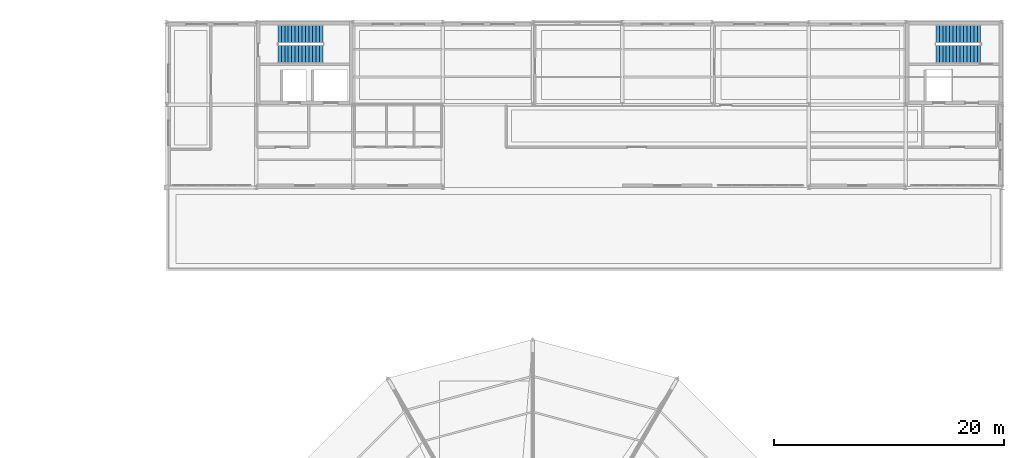
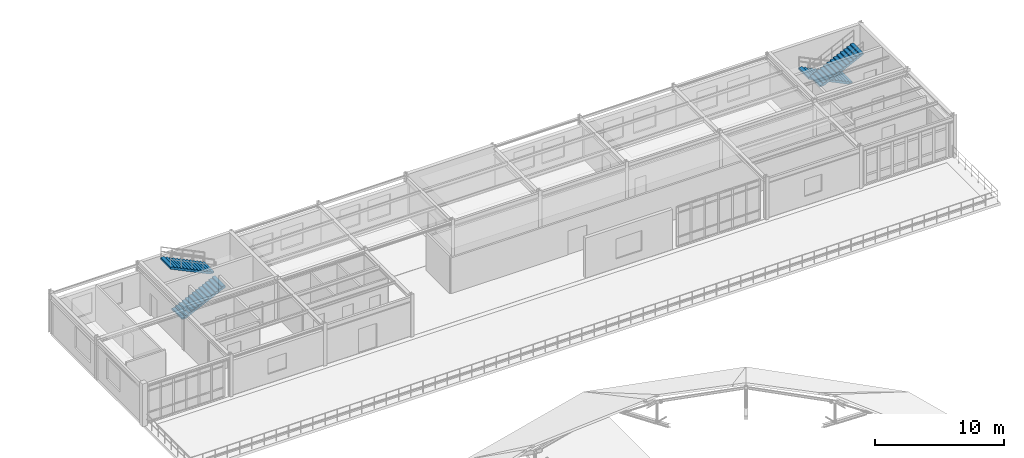
# One storey, part 54 of 58: 4 stair flights, 2 elements without a shape of their own.
"""IFC4 building model written with IfcOpenShell, lengths in metres."""

from ifc_helpers import new_model, si_unit, derived_unit, direction, frame, origin, place, context, subcontext, project, spatial, polyline, outline, extrude, material, type_object, element, aggregate, save


model = new_model("IFC4")

# Units and contexts
model_context = context("Model", 3, precision=1e-05, world=origin(), true_north=direction((0.0, 1.0)))
body_context = subcontext(model_context, "Body", "Model", "MODEL_VIEW")
ifc_project = project(units=[si_unit("LENGTHUNIT", "METRE"), si_unit("AREAUNIT", "SQUARE_METRE"), si_unit("VOLUMEUNIT", "CUBIC_METRE"), si_unit("PLANEANGLEUNIT", "RADIAN"), si_unit("MASSUNIT", "GRAM", prefix="KILO"), derived_unit("THERMALTRANSMITTANCEUNIT", [(si_unit("POWERUNIT", "WATT"), 1), (si_unit("AREAUNIT", "SQUARE_METRE"), -1), (si_unit("THERMODYNAMICTEMPERATUREUNIT", "KELVIN"), -1)])], contexts=[model_context])

# Site, building, storey
site_placement = place(None, origin())
site = spatial("IfcSite", under=ifc_project, at=site_placement, CompositionType="ELEMENT")
building_placement = place(site_placement, origin())
building = spatial("IfcBuilding", under=site, at=building_placement, Name="Yasenodar Specialist Clinic", CompositionType="ELEMENT")
storey_placement = place(building_placement, frame((0.0, 0.0, 21.300048828125)))
storey = spatial("IfcBuildingStorey", under=building, at=storey_placement, Name="L05", CompositionType="ELEMENT", Elevation=21.300048828125)

# Stair, stair flights
ifc_material = material(Name="Concrete C30/37", Category="concrete")
stair_type = type_object("IfcStairType", Name="ST-DOG-C4-28", PredefinedType="HALF_TURN_STAIR", material=ifc_material)
stair_1_placement = place(storey_placement, origin())
stair_1 = element("IfcStair", 1, at=stair_1_placement, inside=storey, type_object=stair_type, Name="L05 Core C4 Exit Stair ST-04", PredefinedType="HALF_TURN_STAIR")
stair_flight_type = type_object("IfcStairFlightType", Name="STF-C4-28", PredefinedType="STRAIGHT", material=ifc_material)
stair_flight_1_placement = place(storey_placement, frame((58.8701171875, 108.794921875, 0.0), z_axis=(0.0, 0.0, 1.0), x_axis=(1.0, 0.0, 0.0)))
stair_flight_1 = element("IfcStairFlight", 2, at=stair_flight_1_placement, type_object=stair_flight_type, Name="ST-04 flight 1", NumberOfRisers=14, NumberOfTreads=13, PredefinedType="STRAIGHT", RiserHeight=0.144642857, TreadLength=0.3, context=body_context, shape_type="SweptSolid", body=[
    extrude(outline(polyline([(0.0, 0.0), (0.0, 0.14453125), (0.300048828125, 0.14453125), (0.300048828125, 0.289306640625), (0.60009765625, 0.289306640625), (0.60009765625, 0.433837890625), (0.89990234375, 0.433837890625), (0.89990234375, 0.57861328125), (1.199951171875, 0.57861328125), (1.199951171875, 0.72314453125), (1.5, 0.72314453125), (1.5, 0.867919921875), (1.800048828125, 0.867919921875), (1.800048828125, 1.012451171875), (2.10009765625, 1.012451171875), (2.10009765625, 1.1572265625), (2.39990234375, 1.1572265625), (2.39990234375, 1.3017578125), (2.699951171875, 1.3017578125), (2.699951171875, 1.446533203125), (3.0, 1.446533203125), (3.0, 1.591064453125), (3.300048828125, 1.591064453125), (3.300048828125, 1.735595703125), (3.60009765625, 1.735595703125), (3.60009765625, 1.88037109375), (3.89990234375, 1.88037109375), (3.89990234375, 2.02490234375), (3.89990234375, 1.702880859375), (0.3681640625, 0.0), (0.0, 0.0)])), frame((0.0, 0.78515625, 0.0), z_axis=(0.0, -1.0, 0.0), x_axis=(1.0, 0.0, 0.0)), (0.0, 0.0, 1.0), 1.570068359375),
])
stair_flight_2_placement = place(storey_placement, frame((62.77001953125, 110.52490234375, 2.02490234375), z_axis=(0.0, 0.0, 1.0), x_axis=(-1.0, 0.0, 0.0)))
stair_flight_2 = element("IfcStairFlight", 3, at=stair_flight_2_placement, type_object=stair_flight_type, Name="ST-04 flight 2", NumberOfRisers=14, NumberOfTreads=13, PredefinedType="STRAIGHT", RiserHeight=0.144642857, TreadLength=0.3, context=body_context, shape_type="SweptSolid", body=[
    extrude(outline(polyline([(0.0, 0.0), (0.0, 0.14453125), (0.300048828125, 0.14453125), (0.300048828125, 0.289306640625), (0.60009765625, 0.289306640625), (0.60009765625, 0.433837890625), (0.89990234375, 0.433837890625), (0.89990234375, 0.57861328125), (1.199951171875, 0.57861328125), (1.199951171875, 0.72314453125), (1.5, 0.72314453125), (1.5, 0.867919921875), (1.800048828125, 0.867919921875), (1.800048828125, 1.012451171875), (2.10009765625, 1.012451171875), (2.10009765625, 1.1572265625), (2.39990234375, 1.1572265625), (2.39990234375, 1.3017578125), (2.699951171875, 1.3017578125), (2.699951171875, 1.446533203125), (3.0, 1.446533203125), (3.0, 1.591064453125), (3.300048828125, 1.591064453125), (3.300048828125, 1.735595703125), (3.60009765625, 1.735595703125), (3.60009765625, 1.88037109375), (3.89990234375, 1.88037109375), (3.89990234375, 2.02490234375), (3.89990234375, 1.702880859375), (0.3681640625, 0.0), (0.0, 0.0)])), frame((0.0, 0.78515625, 0.0), z_axis=(0.0, -1.0, 0.0), x_axis=(1.0, 0.0, 0.0)), (0.0, 0.0, 1.0), 1.570068359375),
])
aggregate(stair_1, [stair_flight_1, stair_flight_2])

stair_2_placement = place(storey_placement, origin())
stair_2 = element("IfcStair", 4, at=stair_2_placement, inside=storey, type_object=stair_type, Name="L05 Core C5 Exit Stair ST-05", PredefinedType="HALF_TURN_STAIR")
stair_flight_3_placement = place(storey_placement, frame((119.929931640625, 110.52490234375, 0.0), z_axis=(0.0, 0.0, 1.0), x_axis=(-1.0, 0.0, 0.0)))
stair_flight_3 = element("IfcStairFlight", 5, at=stair_flight_3_placement, type_object=stair_flight_type, Name="ST-05 flight 1", NumberOfRisers=14, NumberOfTreads=13, PredefinedType="STRAIGHT", RiserHeight=0.144642857, TreadLength=0.3, context=body_context, shape_type="SweptSolid", body=[
    extrude(outline(polyline([(0.0, 0.0), (0.0, 0.14453125), (0.300048828125, 0.14453125), (0.300048828125, 0.289306640625), (0.60009765625, 0.289306640625), (0.60009765625, 0.433837890625), (0.89990234375, 0.433837890625), (0.89990234375, 0.57861328125), (1.199951171875, 0.57861328125), (1.199951171875, 0.72314453125), (1.5, 0.72314453125), (1.5, 0.867919921875), (1.800048828125, 0.867919921875), (1.800048828125, 1.012451171875), (2.10009765625, 1.012451171875), (2.10009765625, 1.1572265625), (2.39990234375, 1.1572265625), (2.39990234375, 1.3017578125), (2.699951171875, 1.3017578125), (2.699951171875, 1.446533203125), (3.0, 1.446533203125), (3.0, 1.591064453125), (3.300048828125, 1.591064453125), (3.300048828125, 1.735595703125), (3.60009765625, 1.735595703125), (3.60009765625, 1.88037109375), (3.89990234375, 1.88037109375), (3.89990234375, 2.02490234375), (3.89990234375, 1.702880859375), (0.3681640625, 0.0), (0.0, 0.0)])), frame((0.0, 0.78515625, 0.0), z_axis=(0.0, -1.0, 0.0), x_axis=(1.0, 0.0, 0.0)), (0.0, 0.0, 1.0), 1.570068359375),
])
stair_flight_4_placement = place(storey_placement, frame((116.030029296875, 108.794921875, 2.02490234375), z_axis=(0.0, 0.0, 1.0), x_axis=(1.0, 0.0, 0.0)))
stair_flight_4 = element("IfcStairFlight", 6, at=stair_flight_4_placement, type_object=stair_flight_type, Name="ST-05 flight 2", NumberOfRisers=14, NumberOfTreads=13, PredefinedType="STRAIGHT", RiserHeight=0.144642857, TreadLength=0.3, context=body_context, shape_type="SweptSolid", body=[
    extrude(outline(polyline([(0.0, 0.0), (0.0, 0.14453125), (0.300048828125, 0.14453125), (0.300048828125, 0.289306640625), (0.60009765625, 0.289306640625), (0.60009765625, 0.433837890625), (0.89990234375, 0.433837890625), (0.89990234375, 0.57861328125), (1.199951171875, 0.57861328125), (1.199951171875, 0.72314453125), (1.5, 0.72314453125), (1.5, 0.867919921875), (1.800048828125, 0.867919921875), (1.800048828125, 1.012451171875), (2.10009765625, 1.012451171875), (2.10009765625, 1.1572265625), (2.39990234375, 1.1572265625), (2.39990234375, 1.3017578125), (2.699951171875, 1.3017578125), (2.699951171875, 1.446533203125), (3.0, 1.446533203125), (3.0, 1.591064453125), (3.300048828125, 1.591064453125), (3.300048828125, 1.735595703125), (3.60009765625, 1.735595703125), (3.60009765625, 1.88037109375), (3.89990234375, 1.88037109375), (3.89990234375, 2.02490234375), (3.89990234375, 1.702880859375), (0.3681640625, 0.0), (0.0, 0.0)])), frame((0.0, 0.78515625, 0.0), z_axis=(0.0, -1.0, 0.0), x_axis=(1.0, 0.0, 0.0)), (0.0, 0.0, 1.0), 1.570068359375),
])
aggregate(stair_2, [stair_flight_3, stair_flight_4])

save(model, "model.ifc")
